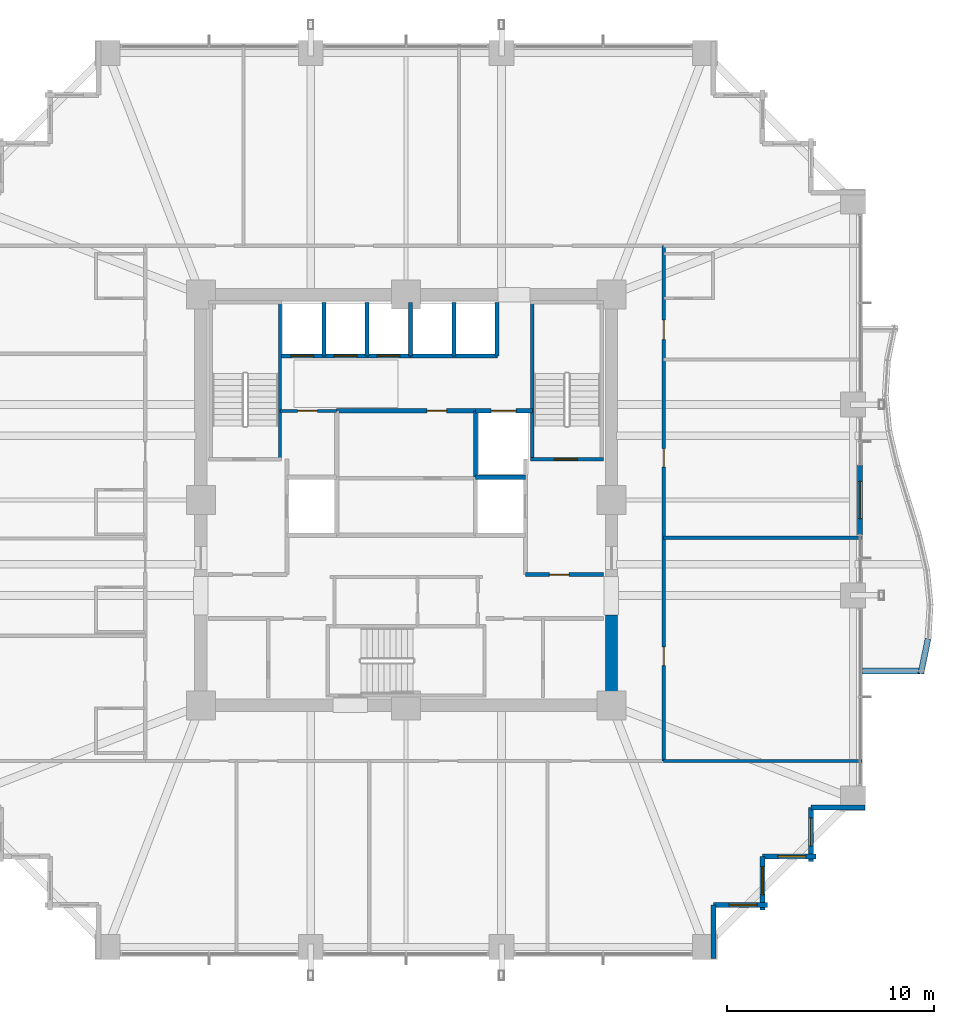
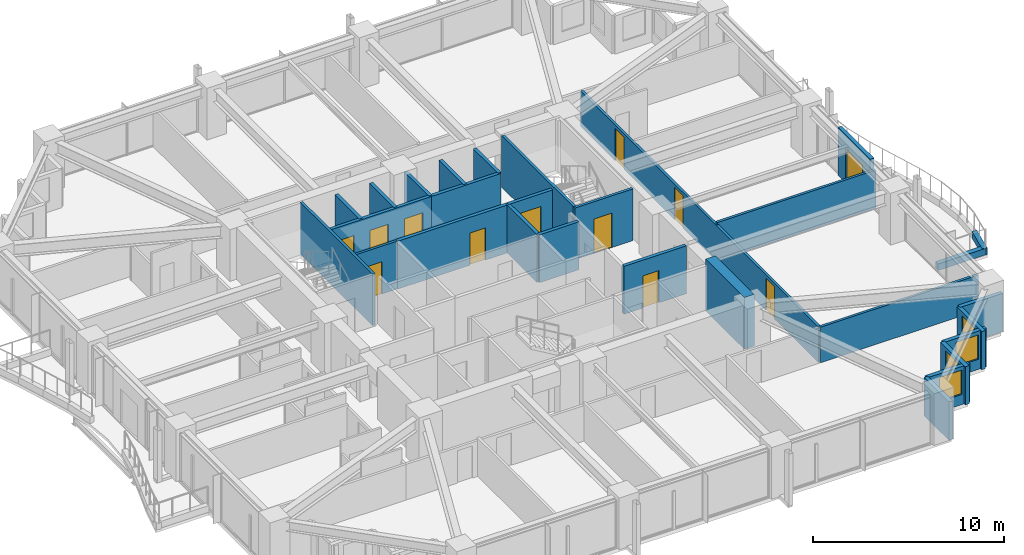
# One storey, part 32 of 36: 29 walls, 12 doors, 4 windows, 16 openings.
"""IFC4 building model written with IfcOpenShell, lengths in metres."""

import ifcopenshell
import ifcopenshell.guid

model = None  # the IFC model being written
_history = None  # IfcOwnerHistory: only IFC2X3 demands one
_inside = {}  # id of a spatial element -> (the spatial element, [elements in it])
_under = {}  # id of a project, library or spatial element -> (it, [spatial elements below it])
_declared = {}  # id of a project -> (the project, [libraries it declares])
_typed = {}  # id of a type object -> (the type object, [elements of that type])
_made_of = {}  # id of a material, layer set ... -> (it, [elements and type objects made of it])


def new_model(schema):
    """Start an empty IFC model of exactly this schema.

    Asked for "IFC4X3", IfcOpenShell would pick the latest addendum, in which some entities
    have other attributes; the version numbers below select the first issue.
    IFC2X3 requires an IfcOwnerHistory on every rooted entity: one is made here for all.
    """
    global model, _history
    if schema == "IFC4X3":
        model = ifcopenshell.file(schema_version=(4, 3, 0, 0))
    else:
        model = ifcopenshell.file(schema=schema)
    _inside.clear()
    _under.clear()
    _declared.clear()
    _typed.clear()
    _made_of.clear()
    _history = None
    if model.schema == "IFC2X3":
        org = make("IfcOrganization", Name="unknown")
        user = make(
            "IfcPersonAndOrganization",
            ThePerson=make("IfcPerson", FamilyName="unknown"),
            TheOrganization=org,
        )
        app = make(
            "IfcApplication",
            ApplicationDeveloper=org,
            Version="unknown",
            ApplicationFullName="unknown",
            ApplicationIdentifier="unknown",
        )
        _history = make(
            "IfcOwnerHistory",
            OwningUser=user,
            OwningApplication=app,
            ChangeAction="ADDED",
            CreationDate=0,
        )
    return model


def make(cls, **values):
    """One entity of the class cls with the attributes given. An attribute that is None is left unset."""
    return model.create_entity(
        cls, **{name: value for name, value in values.items() if value is not None}
    )


def rooted(cls, **values):
    """An entity with a GlobalId (a new one), such as an element, a storey or a relation."""
    return make(cls, GlobalId=ifcopenshell.guid.new(), OwnerHistory=_history, **values)


def si_unit(unit_type, name, prefix=None):
    """IfcSIUnit, for example si_unit("LENGTHUNIT", "METRE", prefix="MILLI")."""
    return make("IfcSIUnit", UnitType=unit_type, Prefix=prefix, Name=name)


def assignment(units):
    """IfcUnitAssignment: the units of a project."""
    return None if units is None else make("IfcUnitAssignment", Units=units)


def point(xyz):
    """IfcCartesianPoint."""
    return None if xyz is None else make("IfcCartesianPoint", Coordinates=xyz)


def direction(xyz):
    """IfcDirection."""
    return None if xyz is None else make("IfcDirection", DirectionRatios=xyz)


def frame(location, z_axis=None, x_axis=None):
    """IfcAxis2Placement3D, a coordinate frame: its origin and axes. An axis left out is left unset."""
    return make(
        "IfcAxis2Placement3D",
        Location=point(location),
        Axis=direction(z_axis),
        RefDirection=direction(x_axis),
    )


def frame_2d(location, x_axis=None):
    """IfcAxis2Placement2D, a coordinate frame in the plane: its origin and x axis."""
    return make(
        "IfcAxis2Placement2D", Location=point(location), RefDirection=direction(x_axis)
    )


def origin():
    """The frame at (0, 0, 0) with its axes left unset."""
    return frame((0.0, 0.0, 0.0))


def place(relative_to, where):
    """IfcLocalPlacement: puts the frame where relative to a parent placement (None: the world)."""
    return make(
        "IfcLocalPlacement", PlacementRelTo=relative_to, RelativePlacement=where
    )


def context(
    kind, dimensions, precision=None, world=None, true_north=None, identifier=None
):
    """IfcGeometricRepresentationContext, for example the 3D "Model" context."""
    return make(
        "IfcGeometricRepresentationContext",
        ContextIdentifier=identifier,
        ContextType=kind,
        CoordinateSpaceDimension=dimensions,
        Precision=precision,
        WorldCoordinateSystem=world,
        TrueNorth=true_north,
    )


def subcontext(parent, identifier, kind, view, scale=None):
    """IfcGeometricRepresentationSubContext, for example "Body" below "Model"."""
    return make(
        "IfcGeometricRepresentationSubContext",
        ContextIdentifier=identifier,
        ContextType=kind,
        ParentContext=parent,
        TargetScale=scale,
        TargetView=view,
    )


def project(units=None, contexts=None):
    """IfcProject with its units and contexts."""
    return rooted(
        "IfcProject",
        Name="project",
        RepresentationContexts=contexts,
        UnitsInContext=assignment(units),
    )


def spatial(cls, under=None, at=None, **own):
    """A site, building, storey or space (cls), placed at a placement, below another one or the project."""
    s = rooted(cls, ObjectPlacement=at, **own)
    if under is not None:
        _under.setdefault(under.id(), (under, []))[1].append(s)
    return s


def profile(cls, at=None, kind="AREA", **sizes):
    """A parametric profile (cls). Its sizes go by their IFC names, for example OverallWidth=200.0."""
    return make(cls, ProfileType=kind, Position=at, **sizes)


def rectangle(**sizes):
    """IfcRectangleProfileDef."""
    return profile("IfcRectangleProfileDef", **sizes)


def extrude(swept, where, along, depth):
    """IfcExtrudedAreaSolid: the profile swept, set in the frame where, extruded along a direction by depth."""
    return make(
        "IfcExtrudedAreaSolid",
        SweptArea=swept,
        Position=where,
        ExtrudedDirection=direction(along),
        Depth=depth,
    )


def shape(context_of_items, identifier, shape_type, items):
    """IfcShapeRepresentation: the items that make up one representation, for example the "Body"."""
    return make(
        "IfcShapeRepresentation",
        ContextOfItems=context_of_items,
        RepresentationIdentifier=identifier,
        RepresentationType=shape_type,
        Items=items,
    )


def material(Name=None, Category=None):
    """IfcMaterial."""
    return make("IfcMaterial", Name=Name, Category=Category)


def layer(
    of_material, thickness, ventilated=None, Name=None, Category=None, Priority=None
):
    """IfcMaterialLayer: one layer of a wall or slab, of a material (None: an air gap)."""
    return make(
        "IfcMaterialLayer",
        Material=of_material,
        LayerThickness=thickness,
        IsVentilated=ventilated,
        Name=Name,
        Category=Category,
        Priority=Priority,
    )


def layer_set(layers, Name=None):
    """IfcMaterialLayerSet."""
    return make("IfcMaterialLayerSet", MaterialLayers=layers, LayerSetName=Name)


def made_of(thing, what):
    """Note that an element or type object is made of a material, layer set ...; save() writes the relation."""
    if what is not None:
        _made_of.setdefault(what.id(), (what, []))[1].append(thing)
    return thing


def type_object(cls, material=None, **own):
    """A type object (cls), such as IfcWallType, which elements share."""
    return made_of(rooted(cls, **own), material)


def element(
    cls,
    number,
    at=None,
    inside=None,
    cuts=None,
    type_object=None,
    material=None,
    context=None,
    identifier="Body",
    shape_type=None,
    held_by="IfcProductDefinitionShape",
    body=None,
    shapes=None,
    **own,
):
    """One element of the class cls, such as IfcWall. Its Tag is "e" and its number.

    at: its placement. inside: the storey or other place that contains it. cuts: it is an
    opening in that element (IfcRelVoidsElement). A single representation is given by context,
    identifier, shape_type and body (its items); several are given by shapes. held_by: the class
    of the entity that holds the representations. save() writes the other relations.
    """
    e = rooted(cls, Tag="e%d" % number, ObjectPlacement=at, **own)
    if body is not None:
        shapes = [shape(context, identifier, shape_type, body)]
    if shapes is not None:
        e.Representation = make(held_by, Representations=shapes)
    if inside is not None:
        _inside.setdefault(inside.id(), (inside, []))[1].append(e)
    if cuts is not None:
        rooted(
            "IfcRelVoidsElement", RelatingBuildingElement=cuts, RelatedOpeningElement=e
        )
    if type_object is not None:
        _typed.setdefault(type_object.id(), (type_object, []))[1].append(e)
    return made_of(e, material)


def fill(opening, filler):
    """IfcRelFillsElement: the door or window that sits in an opening."""
    return rooted(
        "IfcRelFillsElement",
        RelatingOpeningElement=opening,
        RelatedBuildingElement=filler,
    )


def aggregate(whole, parts):
    """IfcRelAggregates: a whole, such as a stair, and the parts it consists of."""
    return rooted("IfcRelAggregates", RelatingObject=whole, RelatedObjects=parts)


def save(model, path):
    """Write the relations noted so far, then the file.

    IfcRelAggregates (storeys below a building ...), IfcRelContainedInSpatialStructure (elements
    in a storey), IfcRelDefinesByType, IfcRelAssociatesMaterial and IfcRelDeclares: one each for
    every whole, place, type object, material and project.
    """
    for whole, parts in _under.values():
        aggregate(whole, parts)
    for where, things in _inside.values():
        rooted(
            "IfcRelContainedInSpatialStructure",
            RelatedElements=things,
            RelatingStructure=where,
        )
    for kind, things in _typed.values():
        rooted("IfcRelDefinesByType", RelatedObjects=things, RelatingType=kind)
    for what, things in _made_of.values():
        rooted("IfcRelAssociatesMaterial", RelatedObjects=things, RelatingMaterial=what)
    for by, libraries in _declared.values():
        rooted("IfcRelDeclares", RelatingContext=by, RelatedDefinitions=libraries)
    model.write(path)


model = new_model("IFC4")

# Units and contexts
model_context = context("Model", 3, precision=1e-05, world=origin(), true_north=direction((0.0, 1.0)))
body_context = subcontext(model_context, "Body", "Model", "MODEL_VIEW")
ifc_project = project(units=[si_unit("LENGTHUNIT", "METRE"), si_unit("AREAUNIT", "SQUARE_METRE"), si_unit("VOLUMEUNIT", "CUBIC_METRE"), si_unit("PLANEANGLEUNIT", "RADIAN"), si_unit("MASSUNIT", "GRAM", prefix="KILO")], contexts=[model_context])

# Site, building, storey
site_placement = place(None, origin())
site = spatial("IfcSite", under=ifc_project, at=site_placement, CompositionType="ELEMENT")
building_placement = place(site_placement, origin())
building = spatial("IfcBuilding", under=site, at=building_placement, Name="Kolvaren Belvedere", CompositionType="ELEMENT")
storey_placement = place(building_placement, frame((0.0, 0.0, 46.89990234375)))
storey = spatial("IfcBuildingStorey", under=building, at=storey_placement, Name="L13", CompositionType="ELEMENT", Elevation=46.89990234375)

# Walls
ifc_material_1 = material(Name="Concrete C60/75", Category="concrete")
ifc_layer_1 = layer(ifc_material_1, 0.60009765625)
ifc_layer_set_1 = layer_set([ifc_layer_1], Name="Concrete C60/75")
wall_type_1 = type_object("IfcWallType", Name="CW-CORE-600", PredefinedType="SHEAR", material=ifc_layer_set_1)
wall_1_placement = place(storey_placement, frame((9.89990234375, -9.60009765625, 0.0), z_axis=(0.0, 0.0, 1.0), x_axis=(0.0, 1.0, 0.0)))
element("IfcWall", 1, at=wall_1_placement, inside=storey, type_object=wall_type_1, Name="L13 East Core Shear Wall 1", PredefinedType="SHEAR", context=body_context, shape_type="SweptSolid", body=[
    extrude(rectangle(XDim=4.050048828125, YDim=0.60009765625, at=frame_2d((2.02490234375, 0.0))), origin(), (0.0, 0.0, 1.0), 3.300048828125),
])
ifc_material_2 = material(Name="Concrete C50/60", Category="concrete")
ifc_layer_2 = layer(ifc_material_2, 0.159912109375)
ifc_layer_set_2 = layer_set([ifc_layer_2], Name="Concrete C50/60")
wall_type_2 = type_object("IfcWallType", Name="CW-STAIR-160", PredefinedType="SHEAR", material=ifc_layer_set_2)
wall_2_placement = place(storey_placement, frame((-6.080078125, 1.969970703125, 0.0), z_axis=(0.0, 0.0, 1.0), x_axis=(0.0, 1.0, 0.0)))
element("IfcWall", 2, at=wall_2_placement, inside=storey, type_object=wall_type_2, Name="L13 Stair ST-1 East Shear Wall", PredefinedType="SHEAR", context=body_context, shape_type="SweptSolid", body=[
    extrude(rectangle(XDim=7.56005859375, YDim=0.159912109375, at=frame_2d((3.780029296875, 0.0))), origin(), (0.0, 0.0, 1.0), 3.300048828125),
])

# Wall, opening, door
wall_3_placement = place(storey_placement, frame((6.0, 1.969970703125, 0.0), z_axis=(0.0, 0.0, 1.0), x_axis=(1.0, 0.0, 0.0)))
wall_3 = element("IfcWall", 3, at=wall_3_placement, inside=storey, type_object=wall_type_2, Name="L13 Stair ST-2 South Shear Wall", PredefinedType="SHEAR", context=body_context, shape_type="SweptSolid", body=[
    extrude(rectangle(XDim=3.52001953125, YDim=0.159912109375, at=frame_2d((1.760009765625, 0.0))), origin(), (0.0, 0.0, 1.0), 3.300048828125),
])
opening_1_placement = place(wall_3_placement, frame((1.14990234375, 0.0, 0.0)))
opening_1 = element("IfcOpeningElement", 4, at=opening_1_placement, cuts=wall_3, Name="Opening D-FD90", PredefinedType="OPENING", context=body_context, shape_type="SweptSolid", body=[
    extrude(rectangle(XDim=1.10009765625, YDim=2.199951171875, at=frame_2d((0.550048828125, 1.10009765625))), frame((0.0, 0.08984375, 0.0), z_axis=(0.0, -1.0, 0.0), x_axis=(1.0, 0.0, 0.0)), (0.0, 0.0, 1.0), 0.179931640625),
])
ifc_material_3 = material(Name="Painted hollow stainless steel", Category="steel")
door_type_1 = type_object("IfcDoorType", Name="DR-FD90-1100", OperationType="NOTDEFINED", PredefinedType="DOOR", material=ifc_material_3)
door_1_placement = place(opening_1_placement, origin())
door_1 = element("IfcDoor", 5, at=door_1_placement, inside=storey, type_object=door_type_1, Name="L13 Stair ST-2 Fire Door", OperationType="SINGLE_SWING_RIGHT", OverallHeight=2.199951171875, OverallWidth=1.10009765625, PredefinedType="DOOR", context=body_context, shape_type="SweptSolid", body=[
    extrude(rectangle(XDim=1.10009765625, YDim=2.199951171875, at=frame_2d((0.550048828125, 1.10009765625))), frame((0.0, 0.02490234375, 0.0), z_axis=(0.0, -1.0, 0.0), x_axis=(1.0, 0.0, 0.0)), (0.0, 0.0, 1.0), 0.050048828125),
])
fill(opening_1, door_1)

# Wall
wall_4_placement = place(storey_placement, frame((6.080078125, 1.969970703125, 0.0), z_axis=(0.0, 0.0, 1.0), x_axis=(0.0, 1.0, 0.0)))
element("IfcWall", 6, at=wall_4_placement, inside=storey, type_object=wall_type_2, Name="L13 Stair ST-2 West Shear Wall", PredefinedType="SHEAR", context=body_context, shape_type="SweptSolid", body=[
    extrude(rectangle(XDim=7.56005859375, YDim=0.159912109375, at=frame_2d((3.780029296875, 0.0))), origin(), (0.0, 0.0, 1.0), 3.300048828125),
])

# Wall, openings, doors
ifc_material_4 = material(Name="Gypsum fire-rated partition assembly", Category="gypsum")
ifc_layer_3 = layer(ifc_material_4, 0.14990234375)
ifc_layer_set_3 = layer_set([ifc_layer_3], Name="Gypsum fire-rated partition assembly")
wall_type_3 = type_object("IfcWallType", Name="WL-CORR-150", PredefinedType="PARTITIONING", material=ifc_layer_set_3)
wall_5_placement = place(storey_placement, frame((12.419921875, -12.580078125, 0.0), z_axis=(0.0, 0.0, 1.0), x_axis=(0.0, 1.0, 0.0)))
wall_5 = element("IfcWall", 7, at=wall_5_placement, inside=storey, type_object=wall_type_3, Name="L13 East Corridor Wall", PredefinedType="PARTITIONING", context=body_context, shape_type="SweptSolid", body=[
    extrude(rectangle(XDim=24.840087890625, YDim=0.14990234375, at=frame_2d((12.419921875, 0.0))), origin(), (0.0, 0.0, 1.0), 2.272216796875),
])
opening_2_placement = place(wall_5_placement, frame((4.594970703125, 0.0, 0.0)))
opening_2 = element("IfcOpeningElement", 8, at=opening_2_placement, cuts=wall_5, Name="Opening D-INT90", PredefinedType="OPENING", context=body_context, shape_type="SweptSolid", body=[
    extrude(rectangle(XDim=0.89990234375, YDim=2.06005859375, at=frame_2d((0.449951171875, 1.030029296875))), frame((0.0, 0.0849609375, 0.0), z_axis=(0.0, -1.0, 0.0), x_axis=(1.0, 0.0, 0.0)), (0.0, 0.0, 1.0), 0.169921875),
])
opening_3_placement = place(wall_5_placement, frame((14.159912109375, 0.0, 0.0)))
opening_3 = element("IfcOpeningElement", 9, at=opening_3_placement, cuts=wall_5, Name="Opening D-INT90", PredefinedType="OPENING", context=body_context, shape_type="SweptSolid", body=[
    extrude(rectangle(XDim=0.89990234375, YDim=2.06005859375, at=frame_2d((0.449951171875, 1.030029296875))), frame((0.0, 0.0849609375, 0.0), z_axis=(0.0, -1.0, 0.0), x_axis=(1.0, 0.0, 0.0)), (0.0, 0.0, 1.0), 0.169921875),
])
opening_4_placement = place(wall_5_placement, frame((20.30859375, 0.0, 0.0)))
opening_4 = element("IfcOpeningElement", 10, at=opening_4_placement, cuts=wall_5, Name="Opening D-FD60", PredefinedType="OPENING", context=body_context, shape_type="SweptSolid", body=[
    extrude(rectangle(XDim=0.949951171875, YDim=2.06005859375, at=frame_2d((0.47509765625, 1.030029296875))), frame((0.0, 0.0849609375, 0.0), z_axis=(0.0, -1.0, 0.0), x_axis=(1.0, 0.0, 0.0)), (0.0, 0.0, 1.0), 0.169921875),
])
ifc_material_5 = material(Name="Acoustic white-oak fire door leaf", Category="timber")
door_type_2 = type_object("IfcDoorType", Name="DR-FD60-950", OperationType="NOTDEFINED", PredefinedType="DOOR", material=ifc_material_5)
door_2_placement = place(opening_4_placement, origin())
door_2 = element("IfcDoor", 11, at=door_2_placement, inside=storey, type_object=door_type_2, Name="L13 Twin Guest Room 1307 Entry Door", OperationType="SINGLE_SWING_RIGHT", OverallHeight=2.06005859375, OverallWidth=0.949951171875, PredefinedType="DOOR", context=body_context, shape_type="SweptSolid", body=[
    extrude(rectangle(XDim=0.949951171875, YDim=2.06005859375, at=frame_2d((0.47509765625, 1.030029296875))), frame((0.0, 0.02490234375, 0.0), z_axis=(0.0, -1.0, 0.0), x_axis=(1.0, 0.0, 0.0)), (0.0, 0.0, 1.0), 0.050048828125),
])
fill(opening_4, door_2)
ifc_material_6 = material(Name="Stained Pacific white oak", Category="timber")
door_type_3 = type_object("IfcDoorType", Name="DR-INT-900", OperationType="NOTDEFINED", PredefinedType="DOOR", material=ifc_material_6)
door_3_placement = place(opening_2_placement, origin())
door_3 = element("IfcDoor", 12, at=door_3_placement, inside=storey, type_object=door_type_3, Name="L13 Lounge 1305 Door", OperationType="SINGLE_SWING_LEFT", OverallHeight=2.06005859375, OverallWidth=0.89990234375, PredefinedType="DOOR", context=body_context, shape_type="SweptSolid", body=[
    extrude(rectangle(XDim=0.89990234375, YDim=2.06005859375, at=frame_2d((0.449951171875, 1.030029296875))), frame((0.0, 0.02490234375, 0.0), z_axis=(0.0, -1.0, 0.0), x_axis=(1.0, 0.0, 0.0)), (0.0, 0.0, 1.0), 0.050048828125),
])
fill(opening_2, door_3)
door_4_placement = place(opening_3_placement, origin())
door_4 = element("IfcDoor", 13, at=door_4_placement, inside=storey, type_object=door_type_3, Name="L13 Botanical Reading Salon 1306 Door", OperationType="SINGLE_SWING_RIGHT", OverallHeight=2.06005859375, OverallWidth=0.89990234375, PredefinedType="DOOR", context=body_context, shape_type="SweptSolid", body=[
    extrude(rectangle(XDim=0.89990234375, YDim=2.06005859375, at=frame_2d((0.449951171875, 1.030029296875))), frame((0.0, 0.02490234375, 0.0), z_axis=(0.0, -1.0, 0.0), x_axis=(1.0, 0.0, 0.0)), (0.0, 0.0, 1.0), 0.050048828125),
])
fill(opening_3, door_4)

# Wall
ifc_material_7 = material(Name="Insulated pale-metal facade wall assembly", Category="aluminium")
ifc_layer_4 = layer(ifc_material_7, 0.239990234375)
ifc_layer_set_4 = layer_set([ifc_layer_4], Name="Insulated pale-metal facade wall assembly")
wall_type_4 = type_object("IfcWallType", Name="WL-EXT-240", PredefinedType="STANDARD", material=ifc_layer_set_4)
wall_6_placement = place(storey_placement, frame((14.830078125, -19.530029296875, 0.0), z_axis=(0.0, 0.0, 1.0), x_axis=(0.0, -1.0, 0.0)))
element("IfcWall", 14, at=wall_6_placement, inside=storey, type_object=wall_type_4, Name="L13 Serrated Corner Facade Wall 2", PredefinedType="STANDARD", context=body_context, shape_type="SweptSolid", body=[
    extrude(rectangle(XDim=2.590087890625, YDim=0.239990234375, at=frame_2d((1.294921875, 0.0))), origin(), (0.0, 0.0, 1.0), 2.439208984375),
])

# Wall, opening, window
wall_7_placement = place(storey_placement, frame((17.419921875, -19.530029296875, 0.0), z_axis=(0.0, 0.0, 1.0), x_axis=(-1.0, 0.0, 0.0)))
wall_7 = element("IfcWall", 15, at=wall_7_placement, inside=storey, type_object=wall_type_4, Name="L13 Serrated Corner Facade Wall 3", PredefinedType="STANDARD", context=body_context, shape_type="SweptSolid", body=[
    extrude(rectangle(XDim=2.58984375, YDim=0.239990234375, at=frame_2d((1.294921875, 0.0))), origin(), (0.0, 0.0, 1.0), 2.439208984375),
])
opening_5_placement = place(wall_7_placement, frame((0.5, 0.0, 0.64990234375)))
opening_5 = element("IfcOpeningElement", 16, at=opening_5_placement, cuts=wall_7, Name="Opening W-1350", PredefinedType="OPENING", context=body_context, shape_type="SweptSolid", body=[
    extrude(rectangle(XDim=1.35009765625, YDim=1.550048828125, at=frame_2d((0.675048828125, 0.77490234375))), frame((0.0, 0.1298828125, 0.0), z_axis=(0.0, -1.0, 0.0), x_axis=(1.0, 0.0, 0.0)), (0.0, 0.0, 1.0), 0.260009765625),
])
ifc_material_8 = material(Name="Low-iron triple insulated glass", Category="glass")
window_type = type_object("IfcWindowType", Name="WN-CORN-1350", PartitioningType="SINGLE_PANEL", PredefinedType="WINDOW", material=ifc_material_8)
window_1_placement = place(opening_5_placement, origin())
window_1 = element("IfcWindow", 17, at=window_1_placement, inside=storey, type_object=window_type, Name="L13 Serrated Corner Vision Window 3", OverallHeight=1.550048828125, OverallWidth=1.35009765625, PartitioningType="SINGLE_PANEL", PredefinedType="WINDOW", context=body_context, shape_type="SweptSolid", body=[
    extrude(rectangle(XDim=1.35009765625, YDim=1.550048828125, at=frame_2d((0.675048828125, 0.77490234375))), frame((0.0, 0.030029296875, 0.0), z_axis=(0.0, -1.0, 0.0), x_axis=(1.0, 0.0, 0.0)), (0.0, 0.0, 1.0), 0.06005859375),
])
fill(opening_5, window_1)

wall_8_placement = place(storey_placement, frame((17.179931640625, -17.179931640625, 0.0), z_axis=(0.0, 0.0, 1.0), x_axis=(0.0, -1.0, 0.0)))
wall_8 = element("IfcWall", 18, at=wall_8_placement, inside=storey, type_object=wall_type_4, Name="L13 Serrated Corner Facade Wall 4", PredefinedType="STANDARD", context=body_context, shape_type="SweptSolid", body=[
    extrude(rectangle(XDim=2.590087890625, YDim=0.239990234375, at=frame_2d((1.294921875, 0.0))), origin(), (0.0, 0.0, 1.0), 2.439208984375),
])
opening_6_placement = place(wall_8_placement, frame((0.5, 0.0, 0.64990234375)))
opening_6 = element("IfcOpeningElement", 19, at=opening_6_placement, cuts=wall_8, Name="Opening W-1350", PredefinedType="OPENING", context=body_context, shape_type="SweptSolid", body=[
    extrude(rectangle(XDim=1.35009765625, YDim=1.550048828125, at=frame_2d((0.675048828125, 0.77490234375))), frame((0.0, 0.1298828125, 0.0), z_axis=(0.0, -1.0, 0.0), x_axis=(1.0, 0.0, 0.0)), (0.0, 0.0, 1.0), 0.260009765625),
])
window_2_placement = place(opening_6_placement, origin())
window_2 = element("IfcWindow", 20, at=window_2_placement, inside=storey, type_object=window_type, Name="L13 Serrated Corner Vision Window 4", OverallHeight=1.550048828125, OverallWidth=1.35009765625, PartitioningType="SINGLE_PANEL", PredefinedType="WINDOW", context=body_context, shape_type="SweptSolid", body=[
    extrude(rectangle(XDim=1.35009765625, YDim=1.550048828125, at=frame_2d((0.675048828125, 0.77490234375))), frame((0.0, 0.030029296875, 0.0), z_axis=(0.0, -1.0, 0.0), x_axis=(1.0, 0.0, 0.0)), (0.0, 0.0, 1.0), 0.06005859375),
])
fill(opening_6, window_2)

wall_9_placement = place(storey_placement, frame((19.77001953125, -17.179931640625, 0.0), z_axis=(0.0, 0.0, 1.0), x_axis=(-1.0, 0.0, 0.0)))
wall_9 = element("IfcWall", 21, at=wall_9_placement, inside=storey, type_object=wall_type_4, Name="L13 Serrated Corner Facade Wall 5", PredefinedType="STANDARD", context=body_context, shape_type="SweptSolid", body=[
    extrude(rectangle(XDim=2.590087890625, YDim=0.239990234375, at=frame_2d((1.294921875, 0.0))), origin(), (0.0, 0.0, 1.0), 2.439208984375),
])
opening_7_placement = place(wall_9_placement, frame((0.5, 0.0, 0.64990234375)))
opening_7 = element("IfcOpeningElement", 22, at=opening_7_placement, cuts=wall_9, Name="Opening W-1350", PredefinedType="OPENING", context=body_context, shape_type="SweptSolid", body=[
    extrude(rectangle(XDim=1.35009765625, YDim=1.550048828125, at=frame_2d((0.675048828125, 0.77490234375))), frame((0.0, 0.1298828125, 0.0), z_axis=(0.0, -1.0, 0.0), x_axis=(1.0, 0.0, 0.0)), (0.0, 0.0, 1.0), 0.260009765625),
])
window_3_placement = place(opening_7_placement, origin())
window_3 = element("IfcWindow", 23, at=window_3_placement, inside=storey, type_object=window_type, Name="L13 Serrated Corner Vision Window 5", OverallHeight=1.550048828125, OverallWidth=1.35009765625, PartitioningType="SINGLE_PANEL", PredefinedType="WINDOW", context=body_context, shape_type="SweptSolid", body=[
    extrude(rectangle(XDim=1.35009765625, YDim=1.550048828125, at=frame_2d((0.675048828125, 0.77490234375))), frame((0.0, 0.030029296875, 0.0), z_axis=(0.0, -1.0, 0.0), x_axis=(1.0, 0.0, 0.0)), (0.0, 0.0, 1.0), 0.06005859375),
])
fill(opening_7, window_3)

wall_10_placement = place(storey_placement, frame((19.530029296875, -14.830078125, 0.0), z_axis=(0.0, 0.0, 1.0), x_axis=(0.0, -1.0, 0.0)))
wall_10 = element("IfcWall", 24, at=wall_10_placement, inside=storey, type_object=wall_type_4, Name="L13 Serrated Corner Facade Wall 6", PredefinedType="STANDARD", context=body_context, shape_type="SweptSolid", body=[
    extrude(rectangle(XDim=2.58984375, YDim=0.239990234375, at=frame_2d((1.294921875, 0.0))), origin(), (0.0, 0.0, 1.0), 2.439208984375),
])
opening_8_placement = place(wall_10_placement, frame((0.5, 0.0, 0.64990234375)))
opening_8 = element("IfcOpeningElement", 25, at=opening_8_placement, cuts=wall_10, Name="Opening W-1350", PredefinedType="OPENING", context=body_context, shape_type="SweptSolid", body=[
    extrude(rectangle(XDim=1.35009765625, YDim=1.550048828125, at=frame_2d((0.675048828125, 0.77490234375))), frame((0.0, 0.1298828125, 0.0), z_axis=(0.0, -1.0, 0.0), x_axis=(1.0, 0.0, 0.0)), (0.0, 0.0, 1.0), 0.260009765625),
])
window_4_placement = place(opening_8_placement, origin())
window_4 = element("IfcWindow", 26, at=window_4_placement, inside=storey, type_object=window_type, Name="L13 Serrated Corner Vision Window 6", OverallHeight=1.550048828125, OverallWidth=1.35009765625, PartitioningType="SINGLE_PANEL", PredefinedType="WINDOW", context=body_context, shape_type="SweptSolid", body=[
    extrude(rectangle(XDim=1.35009765625, YDim=1.550048828125, at=frame_2d((0.675048828125, 0.77490234375))), frame((0.0, 0.030029296875, 0.0), z_axis=(0.0, -1.0, 0.0), x_axis=(1.0, 0.0, 0.0)), (0.0, 0.0, 1.0), 0.06005859375),
])
fill(opening_8, window_4)

# Wall
wall_11_placement = place(storey_placement, frame((22.1201171875, -14.830078125, 0.0), z_axis=(0.0, 0.0, 1.0), x_axis=(-1.0, 0.0, 0.0)))
element("IfcWall", 27, at=wall_11_placement, inside=storey, type_object=wall_type_4, Name="L13 Serrated Corner Facade Wall 7", PredefinedType="STANDARD", context=body_context, shape_type="SweptSolid", body=[
    extrude(rectangle(XDim=2.590087890625, YDim=0.239990234375, at=frame_2d((1.294921875, 0.0))), origin(), (0.0, 0.0, 1.0), 2.439208984375),
])

# Wall, opening, door
wall_12_placement = place(storey_placement, frame((21.8798828125, 1.679931640625, 0.0), z_axis=(0.0, 0.0, 1.0), x_axis=(0.0, -1.0, 0.0)))
wall_12 = element("IfcWall", 28, at=wall_12_placement, inside=storey, type_object=wall_type_4, Name="L13 East Terrace Portal Wall", PredefinedType="STANDARD", context=body_context, shape_type="SweptSolid", body=[
    extrude(rectangle(XDim=3.35986328125, YDim=0.239990234375, at=frame_2d((1.679931640625, 0.0))), origin(), (0.0, 0.0, 1.0), 3.06005859375),
])
opening_9_placement = place(wall_12_placement, frame((0.780029296875, 0.0, 0.0)))
opening_9 = element("IfcOpeningElement", 29, at=opening_9_placement, cuts=wall_12, Name="Opening DB-1800", PredefinedType="OPENING", context=body_context, shape_type="SweptSolid", body=[
    extrude(rectangle(XDim=1.800048828125, YDim=2.199951171875, at=frame_2d((0.89990234375, 1.10009765625))), frame((0.0, 0.1298828125, 0.0), z_axis=(0.0, -1.0, 0.0), x_axis=(1.0, 0.0, 0.0)), (0.0, 0.0, 1.0), 0.260009765625),
])
ifc_material_9 = material(Name="Thermally broken pale-metal aluminium & low-iron glass", Category="aluminium")
door_type_4 = type_object("IfcDoorType", Name="DR-BAL-1800", OperationType="DOUBLE_DOOR_SLIDING", PredefinedType="DOOR", material=ifc_material_9)
door_5_placement = place(opening_9_placement, origin())
door_5 = element("IfcDoor", 30, at=door_5_placement, inside=storey, type_object=door_type_4, Name="L13 East Planted Terrace Sliding Door", OperationType="DOUBLE_DOOR_SLIDING", OverallHeight=2.199951171875, OverallWidth=1.800048828125, PredefinedType="DOOR", context=body_context, shape_type="SweptSolid", body=[
    extrude(rectangle(XDim=1.800048828125, YDim=2.199951171875, at=frame_2d((0.89990234375, 1.10009765625))), frame((0.0, 0.02490234375, 0.0), z_axis=(0.0, -1.0, 0.0), x_axis=(1.0, 0.0, 0.0)), (0.0, 0.0, 1.0), 0.050048828125),
])
fill(opening_9, door_5)

ifc_material_10 = material(Name="Gypsum acoustic partition assembly", Category="gypsum")
ifc_layer_5 = layer(ifc_material_10, 0.14990234375)
ifc_layer_set_5 = layer_set([ifc_layer_5], Name="Gypsum acoustic partition assembly")
wall_type_5 = type_object("IfcWallType", Name="WL-PART-150", PredefinedType="PARTITIONING", material=ifc_layer_set_5)
wall_13_placement = place(storey_placement, frame((-6.080078125, 4.300048828125, 0.0), z_axis=(0.0, 0.0, 1.0), x_axis=(1.0, 0.0, 0.0)))
wall_13 = element("IfcWall", 31, at=wall_13_placement, inside=storey, type_object=wall_type_5, Name="L13 NW Service Room North Wall", PredefinedType="PARTITIONING", context=body_context, shape_type="SweptSolid", body=[
    extrude(rectangle(XDim=2.72998046875, YDim=0.14990234375, at=frame_2d((1.364990234375, 0.0))), origin(), (0.0, 0.0, 1.0), 3.06005859375),
])
opening_10_placement = place(wall_13_placement, frame((0.85009765625, 0.0, 0.0)))
opening_10 = element("IfcOpeningElement", 32, at=opening_10_placement, cuts=wall_13, Name="Opening D-FD60", PredefinedType="OPENING", context=body_context, shape_type="SweptSolid", body=[
    extrude(rectangle(XDim=0.949951171875, YDim=2.06005859375, at=frame_2d((0.47509765625, 1.030029296875))), frame((0.0, 0.0849609375, 0.0), z_axis=(0.0, -1.0, 0.0), x_axis=(1.0, 0.0, 0.0)), (0.0, 0.0, 1.0), 0.169921875),
])
door_6_placement = place(opening_10_placement, origin())
door_6 = element("IfcDoor", 33, at=door_6_placement, inside=storey, type_object=door_type_2, Name="L13 NW Core Store Door", OperationType="SINGLE_SWING_RIGHT", OverallHeight=2.06005859375, OverallWidth=0.949951171875, PredefinedType="DOOR", context=body_context, shape_type="SweptSolid", body=[
    extrude(rectangle(XDim=0.949951171875, YDim=2.06005859375, at=frame_2d((0.47509765625, 1.030029296875))), frame((0.0, 0.02490234375, 0.0), z_axis=(0.0, -1.0, 0.0), x_axis=(1.0, 0.0, 0.0)), (0.0, 0.0, 1.0), 0.050048828125),
])
fill(opening_10, door_6)

# Walls
wall_14_placement = place(storey_placement, frame((12.419921875, -12.580078125, 0.0), z_axis=(0.0, 0.0, 1.0), x_axis=(1.0, 0.0, 0.0)))
element("IfcWall", 34, at=wall_14_placement, inside=storey, type_object=wall_type_5, Name="L13 Wing Divider PW-L13-QSE", PredefinedType="PARTITIONING", context=body_context, shape_type="SweptSolid", body=[
    extrude(rectangle(XDim=9.56005859375, YDim=0.14990234375, at=frame_2d((4.780029296875, 0.0))), origin(), (0.0, 0.0, 1.0), 2.272216796875),
])
wall_15_placement = place(storey_placement, frame((12.419921875, -1.820068359375, 0.0), z_axis=(0.0, 0.0, 1.0), x_axis=(1.0, 0.0, 0.0)))
element("IfcWall", 35, at=wall_15_placement, inside=storey, type_object=wall_type_5, Name="L13 East Suite Demising Wall 1", PredefinedType="PARTITIONING", context=body_context, shape_type="SweptSolid", body=[
    extrude(rectangle(XDim=9.56005859375, YDim=0.14990234375, at=frame_2d((4.780029296875, 0.0))), origin(), (0.0, 0.0, 1.0), 2.42919921875),
])
ifc_material_11 = material(Name="Precast concrete C40/50", Category="concrete")
ifc_layer_6 = layer(ifc_material_11, 0.300048828125)
ifc_layer_set_6 = layer_set([ifc_layer_6], Name="Precast concrete C40/50")
wall_type_6 = type_object("IfcWallType", Name="WL-PLANTER-300", PredefinedType="PARAPET", material=ifc_layer_set_6)
wall_16_placement = place(storey_placement, frame((24.818115234375, -8.367919921875, -0.059814453125), z_axis=(0.0, 0.0, 1.0), x_axis=(0.199647526069, 0.979867779516, 0.0)))
element("IfcWall", 36, at=wall_16_placement, inside=storey, type_object=wall_type_6, Name="L13 Precast Structural Planter Wall BAL-E-1", PredefinedType="PARAPET", context=body_context, shape_type="SweptSolid", body=[
    extrude(rectangle(XDim=1.71435546875, YDim=0.280029296875, at=frame_2d((0.857177734375, 0.0))), origin(), (0.0, 0.0, 1.0), 0.419921875),
])
wall_17_placement = place(storey_placement, frame((22.0, -8.239990234375, -0.059814453125), z_axis=(0.0, 0.0, 1.0), x_axis=(1.0, 0.0, 0.0)))
element("IfcWall", 37, at=wall_17_placement, inside=storey, type_object=wall_type_6, Name="L13 Precast Structural Planter Wall BAL-E-22", PredefinedType="PARAPET", context=body_context, shape_type="SweptSolid", body=[
    extrude(rectangle(XDim=2.974853515625, YDim=0.280029296875, at=frame_2d((1.4873046875, 0.0))), origin(), (0.0, 0.0, 1.0), 0.419921875),
])

# Wall, opening, door
ifc_material_12 = material(Name="Concrete C50/60", Category="concrete")
ifc_layer_7 = layer(ifc_material_12, 0.199951171875)
ifc_layer_set_7 = layer_set([ifc_layer_7], Name="Concrete C50/60")
wall_type_7 = type_object("IfcWallType", Name="WL-SHAFT-200", PredefinedType="SOLIDWALL", material=ifc_layer_set_7)
wall_18_placement = place(storey_placement, frame((5.75, -3.60009765625, 0.0), z_axis=(0.0, 0.0, 1.0), x_axis=(1.0, 0.0, 0.0)))
wall_18 = element("IfcWall", 38, at=wall_18_placement, inside=storey, type_object=wall_type_7, Name="L13 East FSAE Lobby South Wall", PredefinedType="SOLIDWALL", context=body_context, shape_type="SweptSolid", body=[
    extrude(rectangle(XDim=3.77001953125, YDim=0.199951171875, at=frame_2d((1.885009765625, 0.0))), origin(), (0.0, 0.0, 1.0), 3.06005859375),
])
opening_11_placement = place(wall_18_placement, frame((1.14990234375, 0.0, 0.0)))
opening_11 = element("IfcOpeningElement", 39, at=opening_11_placement, cuts=wall_18, Name="Opening D-FD60", PredefinedType="OPENING", context=body_context, shape_type="SweptSolid", body=[
    extrude(rectangle(XDim=0.949951171875, YDim=2.06005859375, at=frame_2d((0.47509765625, 1.030029296875))), frame((0.0, 0.10986328125, 0.0), z_axis=(0.0, -1.0, 0.0), x_axis=(1.0, 0.0, 0.0)), (0.0, 0.0, 1.0), 0.219970703125),
])
door_7_placement = place(opening_11_placement, origin())
door_7 = element("IfcDoor", 40, at=door_7_placement, inside=storey, type_object=door_type_2, Name="L13 SE Lift Lobby Fire Door", OperationType="SINGLE_SWING_RIGHT", OverallHeight=2.06005859375, OverallWidth=0.949951171875, PredefinedType="DOOR", context=body_context, shape_type="SweptSolid", body=[
    extrude(rectangle(XDim=0.949951171875, YDim=2.06005859375, at=frame_2d((0.47509765625, 1.030029296875))), frame((0.0, 0.02490234375, 0.0), z_axis=(0.0, -1.0, 0.0), x_axis=(1.0, 0.0, 0.0)), (0.0, 0.0, 1.0), 0.050048828125),
])
fill(opening_11, door_7)

# Wall
wall_19_placement = place(storey_placement, frame((3.35009765625, 1.10009765625, 0.0), z_axis=(0.0, 0.0, 1.0), x_axis=(1.0, 0.0, 0.0)))
element("IfcWall", 41, at=wall_19_placement, inside=storey, type_object=wall_type_7, Name="L13 FSAE FS2 North Wall", PredefinedType="SOLIDWALL", context=body_context, shape_type="SweptSolid", body=[
    extrude(rectangle(XDim=2.39990234375, YDim=0.199951171875, at=frame_2d((1.199951171875, 0.0))), origin(), (0.0, 0.0, 1.0), 3.06005859375),
])

# Wall, opening, door
wall_20_placement = place(storey_placement, frame((3.35009765625, 4.300048828125, 0.0), z_axis=(0.0, 0.0, 1.0), x_axis=(1.0, 0.0, 0.0)))
wall_20 = element("IfcWall", 42, at=wall_20_placement, inside=storey, type_object=wall_type_7, Name="L13 Service Lift SV1 Front Wall", PredefinedType="SOLIDWALL", context=body_context, shape_type="SweptSolid", body=[
    extrude(rectangle(XDim=2.72998046875, YDim=0.199951171875, at=frame_2d((1.364990234375, 0.0))), origin(), (0.0, 0.0, 1.0), 3.06005859375),
])
opening_12_placement = place(wall_20_placement, frame((0.75, 0.0, 0.0)))
opening_12 = element("IfcOpeningElement", 43, at=opening_12_placement, cuts=wall_20, Name="Opening LD-12", PredefinedType="OPENING", context=body_context, shape_type="SweptSolid", body=[
    extrude(rectangle(XDim=1.199951171875, YDim=2.25, at=frame_2d((0.60009765625, 1.125))), frame((0.0, 0.10986328125, 0.0), z_axis=(0.0, -1.0, 0.0), x_axis=(1.0, 0.0, 0.0)), (0.0, 0.0, 1.0), 0.219970703125),
])
ifc_material_13 = material(Name="Brushed stainless steel", Category="steel")
door_type_5 = type_object("IfcDoorType", Name="DR-LIFT-1200", OperationType="DOUBLE_DOOR_SLIDING", PredefinedType="DOOR", material=ifc_material_13)
door_8_placement = place(opening_12_placement, origin())
door_8 = element("IfcDoor", 44, at=door_8_placement, inside=storey, type_object=door_type_5, Name="L13 Service Lift SV1 Landing Door", OperationType="DOUBLE_DOOR_SLIDING", OverallHeight=2.25, OverallWidth=1.199951171875, PredefinedType="DOOR", context=body_context, shape_type="SweptSolid", body=[
    extrude(rectangle(XDim=1.199951171875, YDim=2.25, at=frame_2d((0.60009765625, 1.125))), frame((0.0, 0.02490234375, 0.0), z_axis=(0.0, -1.0, 0.0), x_axis=(1.0, 0.0, 0.0)), (0.0, 0.0, 1.0), 0.050048828125),
])
fill(opening_12, door_8)

# Wall, openings, doors
wall_21_placement = place(storey_placement, frame((-6.080078125, 6.949951171875, 0.0), z_axis=(0.0, 0.0, 1.0), x_axis=(1.0, 0.0, 0.0)))
wall_21 = element("IfcWall", 45, at=wall_21_placement, inside=storey, type_object=wall_type_7, Name="L13 Low-Rise Lift Bank Front Wall", PredefinedType="SOLIDWALL", context=body_context, shape_type="SweptSolid", body=[
    extrude(rectangle(XDim=6.300048828125, YDim=0.199951171875, at=frame_2d((3.14990234375, 0.0))), origin(), (0.0, 0.0, 1.0), 3.06005859375),
])
opening_13_placement = place(wall_21_placement, frame((0.52001953125, 0.0, 0.0)))
opening_13 = element("IfcOpeningElement", 46, at=opening_13_placement, cuts=wall_21, Name="Opening LD-11", PredefinedType="OPENING", context=body_context, shape_type="SweptSolid", body=[
    extrude(rectangle(XDim=1.10009765625, YDim=2.199951171875, at=frame_2d((0.550048828125, 1.10009765625))), frame((0.0, 0.10986328125, 0.0), z_axis=(0.0, -1.0, 0.0), x_axis=(1.0, 0.0, 0.0)), (0.0, 0.0, 1.0), 0.219970703125),
])
opening_14_placement = place(wall_21_placement, frame((2.60009765625, 0.0, 0.0)))
opening_14 = element("IfcOpeningElement", 47, at=opening_14_placement, cuts=wall_21, Name="Opening LD-11", PredefinedType="OPENING", context=body_context, shape_type="SweptSolid", body=[
    extrude(rectangle(XDim=1.10009765625, YDim=2.199951171875, at=frame_2d((0.550048828125, 1.10009765625))), frame((0.0, 0.10986328125, 0.0), z_axis=(0.0, -1.0, 0.0), x_axis=(1.0, 0.0, 0.0)), (0.0, 0.0, 1.0), 0.219970703125),
])
opening_15_placement = place(wall_21_placement, frame((4.679931640625, 0.0, 0.0)))
opening_15 = element("IfcOpeningElement", 48, at=opening_15_placement, cuts=wall_21, Name="Opening LD-11", PredefinedType="OPENING", context=body_context, shape_type="SweptSolid", body=[
    extrude(rectangle(XDim=1.10009765625, YDim=2.199951171875, at=frame_2d((0.550048828125, 1.10009765625))), frame((0.0, 0.10986328125, 0.0), z_axis=(0.0, -1.0, 0.0), x_axis=(1.0, 0.0, 0.0)), (0.0, 0.0, 1.0), 0.219970703125),
])
ifc_material_14 = material(Name="Brushed stainless steel", Category="steel")
door_type_6 = type_object("IfcDoorType", Name="DR-LIFT-1100", OperationType="DOUBLE_DOOR_SLIDING", PredefinedType="DOOR", material=ifc_material_14)
door_9_placement = place(opening_13_placement, origin())
door_9 = element("IfcDoor", 49, at=door_9_placement, inside=storey, type_object=door_type_6, Name="L13 Passenger Lift P1 Landing Door", OperationType="DOUBLE_DOOR_SLIDING", OverallHeight=2.199951171875, OverallWidth=1.10009765625, PredefinedType="DOOR", context=body_context, shape_type="SweptSolid", body=[
    extrude(rectangle(XDim=1.10009765625, YDim=2.199951171875, at=frame_2d((0.550048828125, 1.10009765625))), frame((0.0, 0.02490234375, 0.0), z_axis=(0.0, -1.0, 0.0), x_axis=(1.0, 0.0, 0.0)), (0.0, 0.0, 1.0), 0.050048828125),
])
fill(opening_13, door_9)
door_10_placement = place(opening_14_placement, origin())
door_10 = element("IfcDoor", 50, at=door_10_placement, inside=storey, type_object=door_type_6, Name="L13 Passenger Lift P2 Landing Door", OperationType="DOUBLE_DOOR_SLIDING", OverallHeight=2.199951171875, OverallWidth=1.10009765625, PredefinedType="DOOR", context=body_context, shape_type="SweptSolid", body=[
    extrude(rectangle(XDim=1.10009765625, YDim=2.199951171875, at=frame_2d((0.550048828125, 1.10009765625))), frame((0.0, 0.02490234375, 0.0), z_axis=(0.0, -1.0, 0.0), x_axis=(1.0, 0.0, 0.0)), (0.0, 0.0, 1.0), 0.050048828125),
])
fill(opening_14, door_10)
door_11_placement = place(opening_15_placement, origin())
door_11 = element("IfcDoor", 51, at=door_11_placement, inside=storey, type_object=door_type_6, Name="L13 Passenger Lift P3 Landing Door", OperationType="DOUBLE_DOOR_SLIDING", OverallHeight=2.199951171875, OverallWidth=1.10009765625, PredefinedType="DOOR", context=body_context, shape_type="SweptSolid", body=[
    extrude(rectangle(XDim=1.10009765625, YDim=2.199951171875, at=frame_2d((0.550048828125, 1.10009765625))), frame((0.0, 0.02490234375, 0.0), z_axis=(0.0, -1.0, 0.0), x_axis=(1.0, 0.0, 0.0)), (0.0, 0.0, 1.0), 0.050048828125),
])
fill(opening_15, door_11)

# Walls
for number, where, z_axis, x_axis, name in (
    (52, (-3.969970703125, 6.949951171875, 0.0), (0.0, 0.0, 1.0), (0.0, 1.0, 0.0), "L13 Low-Rise Hoistway Divider 1"),
    (53, (-1.889892578125, 6.949951171875, 0.0), (0.0, 0.0, 1.0), (0.0, 1.0, 0.0), "L13 Low-Rise Hoistway Divider 2"),
    (54, (0.2099609375, 6.949951171875, 0.0), (0.0, 0.0, 1.0), (0.0, 1.0, 0.0), "L13 Low-Rise Hoistway Divider 3"),
):
    element("IfcWall", number, at=place(storey_placement, frame(where, z_axis=z_axis, x_axis=x_axis)), inside=storey, type_object=wall_type_7, Name=name, PredefinedType="SOLIDWALL", context=body_context, shape_type="SweptSolid", body=[
        extrude(rectangle(XDim=2.570068359375, YDim=0.199951171875, at=frame_2d((1.28515625, 0.0))), origin(), (0.0, 0.0, 1.0), 3.06005859375),
    ])
wall_22_placement = place(storey_placement, frame((0.219970703125, 6.949951171875, 0.0), z_axis=(0.0, 0.0, 1.0), x_axis=(1.0, 0.0, 0.0)))
element("IfcWall", 55, at=wall_22_placement, inside=storey, type_object=wall_type_7, Name="L13 Express Shuttle Hoistway Wall", PredefinedType="SOLIDWALL", context=body_context, shape_type="SweptSolid", body=[
    extrude(rectangle(XDim=4.179931640625, YDim=0.199951171875, at=frame_2d((2.08984375, 0.0))), origin(), (0.0, 0.0, 1.0), 3.06005859375),
])
for number, where, z_axis, x_axis, name in (
    (56, (4.3798828125, 6.949951171875, 0.0), (0.0, 0.0, 1.0), (0.0, 1.0, 0.0), "L13 Express Shuttle East Wall"),
    (57, (2.31005859375, 6.949951171875, 0.0), (0.0, 0.0, 1.0), (0.0, 1.0, 0.0), "L13 Express Shuttle Divider"),
):
    element("IfcWall", number, at=place(storey_placement, frame(where, z_axis=z_axis, x_axis=x_axis)), inside=storey, type_object=wall_type_7, Name=name, PredefinedType="SOLIDWALL", context=body_context, shape_type="SweptSolid", body=[
        extrude(rectangle(XDim=2.570068359375, YDim=0.199951171875, at=frame_2d((1.28515625, 0.0))), origin(), (0.0, 0.0, 1.0), 3.06005859375),
    ])

# Wall, opening, door
wall_23_placement = place(storey_placement, frame((-3.35009765625, 4.300048828125, 0.0), z_axis=(0.0, 0.0, 1.0), x_axis=(1.0, 0.0, 0.0)))
wall_23 = element("IfcWall", 58, at=wall_23_placement, inside=storey, type_object=wall_type_7, Name="L13 Central Core Room North Wall", PredefinedType="SOLIDWALL", context=body_context, shape_type="SweptSolid", body=[
    extrude(rectangle(XDim=6.7001953125, YDim=0.199951171875, at=frame_2d((3.35009765625, 0.0))), origin(), (0.0, 0.0, 1.0), 3.06005859375),
])
opening_16_placement = place(wall_23_placement, frame((4.35009765625, 0.0, 0.0)))
opening_16 = element("IfcOpeningElement", 59, at=opening_16_placement, cuts=wall_23, Name="Opening D-FD60", PredefinedType="OPENING", context=body_context, shape_type="SweptSolid", body=[
    extrude(rectangle(XDim=0.949951171875, YDim=2.06005859375, at=frame_2d((0.47509765625, 1.030029296875))), frame((0.0, 0.10986328125, 0.0), z_axis=(0.0, -1.0, 0.0), x_axis=(1.0, 0.0, 0.0)), (0.0, 0.0, 1.0), 0.219970703125),
])
door_12_placement = place(opening_16_placement, origin())
door_12 = element("IfcDoor", 60, at=door_12_placement, inside=storey, type_object=door_type_2, Name="L13 Central Core Controls Door", OperationType="SINGLE_SWING_LEFT", OverallHeight=2.06005859375, OverallWidth=0.949951171875, PredefinedType="DOOR", context=body_context, shape_type="SweptSolid", body=[
    extrude(rectangle(XDim=0.949951171875, YDim=2.06005859375, at=frame_2d((0.47509765625, 1.030029296875))), frame((0.0, 0.02490234375, 0.0), z_axis=(0.0, -1.0, 0.0), x_axis=(1.0, 0.0, 0.0)), (0.0, 0.0, 1.0), 0.050048828125),
])
fill(opening_16, door_12)

# Wall
wall_24_placement = place(storey_placement, frame((3.35009765625, 1.10009765625, 0.0), z_axis=(0.0, 0.0, 1.0), x_axis=(0.0, 1.0, 0.0)))
element("IfcWall", 61, at=wall_24_placement, inside=storey, type_object=wall_type_7, Name="L13 Central Core Room East Wall", PredefinedType="SOLIDWALL", context=body_context, shape_type="SweptSolid", body=[
    extrude(rectangle(XDim=3.199951171875, YDim=0.199951171875, at=frame_2d((1.60009765625, 0.0))), origin(), (0.0, 0.0, 1.0), 3.06005859375),
])

save(model, "model.ifc")
